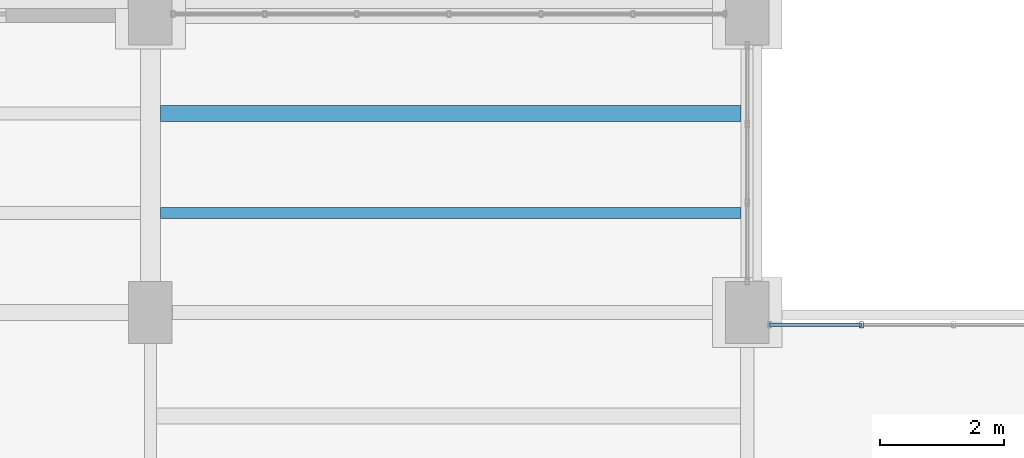
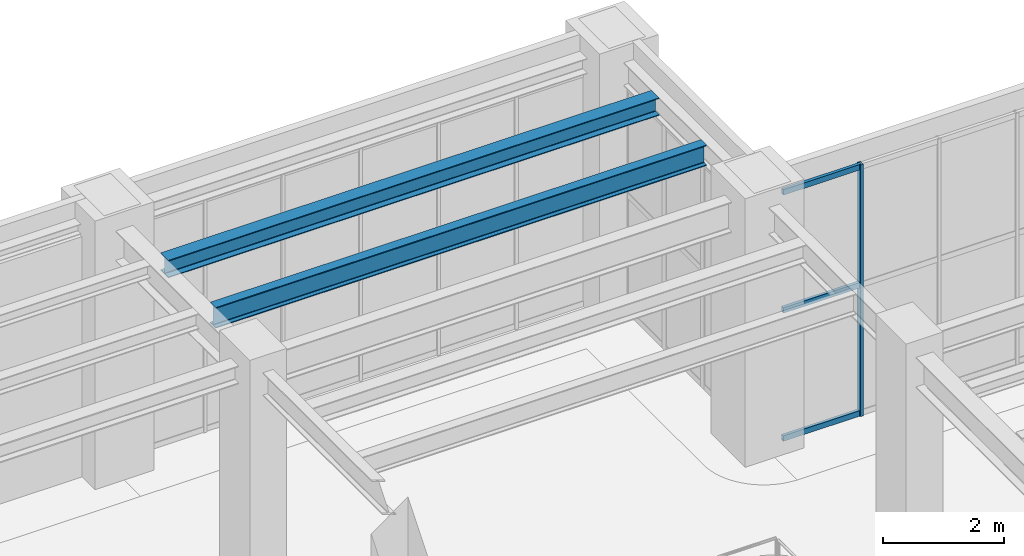
# One storey, part 88 of 164: 4 members, 2 beams, 1 element without a shape of its own.
"""IFC4 building model written with IfcOpenShell, lengths in metres."""

import ifcopenshell
import ifcopenshell.guid

model = None  # the IFC model being written
_history = None  # IfcOwnerHistory: only IFC2X3 demands one
_inside = {}  # id of a spatial element -> (the spatial element, [elements in it])
_under = {}  # id of a project, library or spatial element -> (it, [spatial elements below it])
_declared = {}  # id of a project -> (the project, [libraries it declares])
_typed = {}  # id of a type object -> (the type object, [elements of that type])
_made_of = {}  # id of a material, layer set ... -> (it, [elements and type objects made of it])


def new_model(schema):
    """Start an empty IFC model of exactly this schema.

    Asked for "IFC4X3", IfcOpenShell would pick the latest addendum, in which some entities
    have other attributes; the version numbers below select the first issue.
    IFC2X3 requires an IfcOwnerHistory on every rooted entity: one is made here for all.
    """
    global model, _history
    if schema == "IFC4X3":
        model = ifcopenshell.file(schema_version=(4, 3, 0, 0))
    else:
        model = ifcopenshell.file(schema=schema)
    _inside.clear()
    _under.clear()
    _declared.clear()
    _typed.clear()
    _made_of.clear()
    _history = None
    if model.schema == "IFC2X3":
        org = make("IfcOrganization", Name="unknown")
        user = make(
            "IfcPersonAndOrganization",
            ThePerson=make("IfcPerson", FamilyName="unknown"),
            TheOrganization=org,
        )
        app = make(
            "IfcApplication",
            ApplicationDeveloper=org,
            Version="unknown",
            ApplicationFullName="unknown",
            ApplicationIdentifier="unknown",
        )
        _history = make(
            "IfcOwnerHistory",
            OwningUser=user,
            OwningApplication=app,
            ChangeAction="ADDED",
            CreationDate=0,
        )
    return model


def make(cls, **values):
    """One entity of the class cls with the attributes given. An attribute that is None is left unset."""
    return model.create_entity(
        cls, **{name: value for name, value in values.items() if value is not None}
    )


def rooted(cls, **values):
    """An entity with a GlobalId (a new one), such as an element, a storey or a relation."""
    return make(cls, GlobalId=ifcopenshell.guid.new(), OwnerHistory=_history, **values)


def si_unit(unit_type, name, prefix=None):
    """IfcSIUnit, for example si_unit("LENGTHUNIT", "METRE", prefix="MILLI")."""
    return make("IfcSIUnit", UnitType=unit_type, Prefix=prefix, Name=name)


def assignment(units):
    """IfcUnitAssignment: the units of a project."""
    return None if units is None else make("IfcUnitAssignment", Units=units)


def point(xyz):
    """IfcCartesianPoint."""
    return None if xyz is None else make("IfcCartesianPoint", Coordinates=xyz)


def direction(xyz):
    """IfcDirection."""
    return None if xyz is None else make("IfcDirection", DirectionRatios=xyz)


def frame(location, z_axis=None, x_axis=None):
    """IfcAxis2Placement3D, a coordinate frame: its origin and axes. An axis left out is left unset."""
    return make(
        "IfcAxis2Placement3D",
        Location=point(location),
        Axis=direction(z_axis),
        RefDirection=direction(x_axis),
    )


def frame_2d(location, x_axis=None):
    """IfcAxis2Placement2D, a coordinate frame in the plane: its origin and x axis."""
    return make(
        "IfcAxis2Placement2D", Location=point(location), RefDirection=direction(x_axis)
    )


def origin():
    """The frame at (0, 0, 0) with its axes left unset."""
    return frame((0.0, 0.0, 0.0))


def origin_2d():
    """The frame at (0, 0) in the plane with its x axis left unset."""
    return frame_2d((0.0, 0.0))


def place(relative_to, where):
    """IfcLocalPlacement: puts the frame where relative to a parent placement (None: the world)."""
    return make(
        "IfcLocalPlacement", PlacementRelTo=relative_to, RelativePlacement=where
    )


def context(
    kind, dimensions, precision=None, world=None, true_north=None, identifier=None
):
    """IfcGeometricRepresentationContext, for example the 3D "Model" context."""
    return make(
        "IfcGeometricRepresentationContext",
        ContextIdentifier=identifier,
        ContextType=kind,
        CoordinateSpaceDimension=dimensions,
        Precision=precision,
        WorldCoordinateSystem=world,
        TrueNorth=true_north,
    )


def subcontext(parent, identifier, kind, view, scale=None):
    """IfcGeometricRepresentationSubContext, for example "Body" below "Model"."""
    return make(
        "IfcGeometricRepresentationSubContext",
        ContextIdentifier=identifier,
        ContextType=kind,
        ParentContext=parent,
        TargetScale=scale,
        TargetView=view,
    )


def project(units=None, contexts=None):
    """IfcProject with its units and contexts."""
    return rooted(
        "IfcProject",
        Name="project",
        RepresentationContexts=contexts,
        UnitsInContext=assignment(units),
    )


def spatial(cls, under=None, at=None, **own):
    """A site, building, storey or space (cls), placed at a placement, below another one or the project."""
    s = rooted(cls, ObjectPlacement=at, **own)
    if under is not None:
        _under.setdefault(under.id(), (under, []))[1].append(s)
    return s


def profile(cls, at=None, kind="AREA", **sizes):
    """A parametric profile (cls). Its sizes go by their IFC names, for example OverallWidth=200.0."""
    return make(cls, ProfileType=kind, Position=at, **sizes)


def hollow_rectangle(**sizes):
    """IfcRectangleHollowProfileDef."""
    return profile("IfcRectangleHollowProfileDef", **sizes)


def i_section(**sizes):
    """IfcIShapeProfileDef."""
    return profile("IfcIShapeProfileDef", **sizes)


def extrude(swept, where, along, depth):
    """IfcExtrudedAreaSolid: the profile swept, set in the frame where, extruded along a direction by depth."""
    return make(
        "IfcExtrudedAreaSolid",
        SweptArea=swept,
        Position=where,
        ExtrudedDirection=direction(along),
        Depth=depth,
    )


def shape(context_of_items, identifier, shape_type, items):
    """IfcShapeRepresentation: the items that make up one representation, for example the "Body"."""
    return make(
        "IfcShapeRepresentation",
        ContextOfItems=context_of_items,
        RepresentationIdentifier=identifier,
        RepresentationType=shape_type,
        Items=items,
    )


def material(Name=None, Category=None):
    """IfcMaterial."""
    return make("IfcMaterial", Name=Name, Category=Category)


def material_profile(
    of_material, cross_section, Name=None, Category=None, Priority=None
):
    """IfcMaterialProfile: a cross section and its material."""
    return make(
        "IfcMaterialProfile",
        Name=Name,
        Material=of_material,
        Profile=cross_section,
        Priority=Priority,
        Category=Category,
    )


def profile_set(profiles, Name=None, composite=None):
    """IfcMaterialProfileSet."""
    return make(
        "IfcMaterialProfileSet",
        Name=Name,
        MaterialProfiles=profiles,
        CompositeProfile=composite,
    )


def made_of(thing, what):
    """Note that an element or type object is made of a material, layer set ...; save() writes the relation."""
    if what is not None:
        _made_of.setdefault(what.id(), (what, []))[1].append(thing)
    return thing


def type_object(cls, material=None, **own):
    """A type object (cls), such as IfcWallType, which elements share."""
    return made_of(rooted(cls, **own), material)


def element(
    cls,
    number,
    at=None,
    inside=None,
    cuts=None,
    type_object=None,
    material=None,
    context=None,
    identifier="Body",
    shape_type=None,
    held_by="IfcProductDefinitionShape",
    body=None,
    shapes=None,
    **own,
):
    """One element of the class cls, such as IfcWall. Its Tag is "e" and its number.

    at: its placement. inside: the storey or other place that contains it. cuts: it is an
    opening in that element (IfcRelVoidsElement). A single representation is given by context,
    identifier, shape_type and body (its items); several are given by shapes. held_by: the class
    of the entity that holds the representations. save() writes the other relations.
    """
    e = rooted(cls, Tag="e%d" % number, ObjectPlacement=at, **own)
    if body is not None:
        shapes = [shape(context, identifier, shape_type, body)]
    if shapes is not None:
        e.Representation = make(held_by, Representations=shapes)
    if inside is not None:
        _inside.setdefault(inside.id(), (inside, []))[1].append(e)
    if cuts is not None:
        rooted(
            "IfcRelVoidsElement", RelatingBuildingElement=cuts, RelatedOpeningElement=e
        )
    if type_object is not None:
        _typed.setdefault(type_object.id(), (type_object, []))[1].append(e)
    return made_of(e, material)


def aggregate(whole, parts):
    """IfcRelAggregates: a whole, such as a stair, and the parts it consists of."""
    return rooted("IfcRelAggregates", RelatingObject=whole, RelatedObjects=parts)


def save(model, path):
    """Write the relations noted so far, then the file.

    IfcRelAggregates (storeys below a building ...), IfcRelContainedInSpatialStructure (elements
    in a storey), IfcRelDefinesByType, IfcRelAssociatesMaterial and IfcRelDeclares: one each for
    every whole, place, type object, material and project.
    """
    for whole, parts in _under.values():
        aggregate(whole, parts)
    for where, things in _inside.values():
        rooted(
            "IfcRelContainedInSpatialStructure",
            RelatedElements=things,
            RelatingStructure=where,
        )
    for kind, things in _typed.values():
        rooted("IfcRelDefinesByType", RelatedObjects=things, RelatingType=kind)
    for what, things in _made_of.values():
        rooted("IfcRelAssociatesMaterial", RelatedObjects=things, RelatingMaterial=what)
    for by, libraries in _declared.values():
        rooted("IfcRelDeclares", RelatingContext=by, RelatedDefinitions=libraries)
    model.write(path)


model = new_model("IFC4")

# Units and contexts
model_context = context("Model", 3, precision=1e-05, world=origin(), true_north=direction((0.0, 1.0)))
body_context = subcontext(model_context, "Body", "Model", "MODEL_VIEW")
ifc_project = project(units=[si_unit("LENGTHUNIT", "METRE"), si_unit("AREAUNIT", "SQUARE_METRE"), si_unit("VOLUMEUNIT", "CUBIC_METRE"), si_unit("PLANEANGLEUNIT", "RADIAN"), si_unit("MASSUNIT", "GRAM", prefix="KILO")], contexts=[model_context])

# Site, building, storey
site_placement = place(None, origin())
site = spatial("IfcSite", under=ifc_project, at=site_placement, CompositionType="ELEMENT")
building_placement = place(site_placement, origin())
building = spatial("IfcBuilding", under=site, at=building_placement, Name="Mavantir Sound Aquarium", CompositionType="ELEMENT")
storey_placement = place(building_placement, origin())
storey = spatial("IfcBuildingStorey", under=building, at=storey_placement, Name="L00", CompositionType="ELEMENT", Elevation=0.0)

# Beams
ifc_material_1 = material(Name="Structural Steel ASTM A992 Gr50", Category="steel")
ifc_material_profile_1 = material_profile(ifc_material_1, i_section(OverallWidth=0.25390625, OverallDepth=0.35302734375, WebThickness=0.009521484375, FlangeThickness=0.016357421875, FilletRadius=0.014892578125, at=origin_2d()), Name="W360X91")
ifc_profile_set_1 = profile_set([ifc_material_profile_1], Name="Structural Steel ASTM A992 Gr50")
beam_type_1 = type_object("IfcBeamType", Name="BM-W360X91-I", PredefinedType="JOIST", material=ifc_profile_set_1)
beam_1_placement = place(storey_placement, frame((108.162109375, 94.0, 4.889404296875), z_axis=(1.0, 0.0, 0.0), x_axis=(0.0, 1.0, 0.0)))
element("IfcBeam", 1, at=beam_1_placement, inside=storey, type_object=beam_type_1, Name="L00 secondary floor joist SJ-36 574", PredefinedType="JOIST", context=body_context, shape_type="SweptSolid", body=[
    extrude(i_section(OverallWidth=0.25390625, OverallDepth=0.35302734375, WebThickness=0.009521484375, FlangeThickness=0.016357421875, FilletRadius=0.014892578125, at=origin_2d()), origin(), (0.0, 0.0, 1.0), 9.3408203125),
])
ifc_material_profile_2 = material_profile(ifc_material_1, i_section(OverallWidth=0.180908203125, OverallDepth=0.4169921875, WebThickness=0.010986328125, FlangeThickness=0.018310546875, FilletRadius=0.014892578125, at=origin_2d()), Name="W410X85")
ifc_profile_set_2 = profile_set([ifc_material_profile_2], Name="Structural Steel ASTM A992 Gr50")
beam_type_2 = type_object("IfcBeamType", Name="BM-W410X85-I", PredefinedType="JOIST", material=ifc_profile_set_2)
beam_2_placement = place(storey_placement, frame((108.162109375, 92.39990234375, 4.857421875), z_axis=(1.0, 0.0, 0.0), x_axis=(0.0, 1.0, 0.0)))
element("IfcBeam", 2, at=beam_2_placement, inside=storey, type_object=beam_type_2, Name="L00 secondary floor joist SJ-41 573", PredefinedType="JOIST", context=body_context, shape_type="SweptSolid", body=[
    extrude(i_section(OverallWidth=0.180908203125, OverallDepth=0.4169921875, WebThickness=0.010986328125, FlangeThickness=0.018310546875, FilletRadius=0.014892578125, at=origin_2d()), origin(), (0.0, 0.0, 1.0), 9.3408203125),
])

# Curtain wall, members
ifc_material_2 = material(Name="Anodised Marine Aluminium and Low-E Glass", Category="aluminium")
curtain_wall_type = type_object("IfcCurtainWallType", Name="CW-T17", PredefinedType="USERDEFINED", material=ifc_material_2)
curtain_wall_placement = place(storey_placement, origin())
curtain_wall = element("IfcCurtainWall", 3, at=curtain_wall_placement, inside=storey, type_object=curtain_wall_type, Name="L00 unitised curtain wall CW-17 17", ObjectType="UNITISED GLAZING", PredefinedType="USERDEFINED")
ifc_material_3 = material(Name="Anodised Marine Aluminium 6063-T6", Category="aluminium")
ifc_material_profile_3 = material_profile(ifc_material_3, hollow_rectangle(XDim=0.06005859375, YDim=0.10009765625, WallThickness=0.00390625, at=origin_2d()), Name="ALU-MULLION-100X60")
ifc_profile_set_3 = profile_set([ifc_material_profile_3], Name="Anodised Marine Aluminium 6063-T6")
member_type_1 = type_object("IfcMemberType", Name="CW-MUL-100", PredefinedType="MULLION", material=ifc_profile_set_3)
member_1_placement = place(storey_placement, frame((119.438720703125, 90.60009765625, 0.0), z_axis=(0.0, 0.0, 1.0), x_axis=(1.0, 0.0, 0.0)))
member_1 = element("IfcMember", 4, at=member_1_placement, type_object=member_type_1, Name="CW-L00-017 vertical mullion 6", PredefinedType="MULLION", context=body_context, shape_type="SweptSolid", body=[
    extrude(hollow_rectangle(XDim=0.06005859375, YDim=0.10009765625, WallThickness=0.00390625, at=origin_2d()), origin(), (0.0, 0.0, 1.0), 5.06005859375),
])
ifc_material_profile_4 = material_profile(ifc_material_3, hollow_rectangle(XDim=0.06005859375, YDim=0.110107421875, WallThickness=0.00390625, at=origin_2d()), Name="ALU-TRANSOM-110X60")
ifc_profile_set_4 = profile_set([ifc_material_profile_4], Name="Anodised Marine Aluminium 6063-T6")
member_type_2 = type_object("IfcMemberType", Name="CW-TRN-110", PredefinedType="USERDEFINED", material=ifc_profile_set_4)
member_2_placement = place(storey_placement, frame((119.438720703125, 90.60009765625, 0.054931640625), z_axis=(-1.0, 0.0, 0.0), x_axis=(0.0, -1.0, 0.0)))
member_2 = element("IfcMember", 5, at=member_2_placement, type_object=member_type_2, Name="CW-L00-017 transom 6.1", ObjectType="TRANSOM", PredefinedType="USERDEFINED", context=body_context, shape_type="SweptSolid", body=[
    extrude(hollow_rectangle(XDim=0.06005859375, YDim=0.110107421875, WallThickness=0.00390625, at=origin_2d()), origin(), (0.0, 0.0, 1.0), 1.480712890625),
])
member_3_placement = place(storey_placement, frame((119.438720703125, 90.60009765625, 2.631103515625), z_axis=(-1.0, 0.0, 0.0), x_axis=(0.0, -1.0, 0.0)))
member_3 = element("IfcMember", 6, at=member_3_placement, type_object=member_type_2, Name="CW-L00-017 transom 6.2", ObjectType="TRANSOM", PredefinedType="USERDEFINED", context=body_context, shape_type="SweptSolid", body=[
    extrude(hollow_rectangle(XDim=0.06005859375, YDim=0.110107421875, WallThickness=0.00390625, at=origin_2d()), origin(), (0.0, 0.0, 1.0), 1.480712890625),
])
member_4_placement = place(storey_placement, frame((119.438720703125, 90.60009765625, 5.0048828125), z_axis=(-1.0, 0.0, 0.0), x_axis=(0.0, -1.0, 0.0)))
member_4 = element("IfcMember", 7, at=member_4_placement, type_object=member_type_2, Name="CW-L00-017 transom 6.3", ObjectType="TRANSOM", PredefinedType="USERDEFINED", context=body_context, shape_type="SweptSolid", body=[
    extrude(hollow_rectangle(XDim=0.06005859375, YDim=0.110107421875, WallThickness=0.00390625, at=origin_2d()), origin(), (0.0, 0.0, 1.0), 1.480712890625),
])
aggregate(curtain_wall, [member_1, member_2, member_3, member_4])

save(model, "model.ifc")
